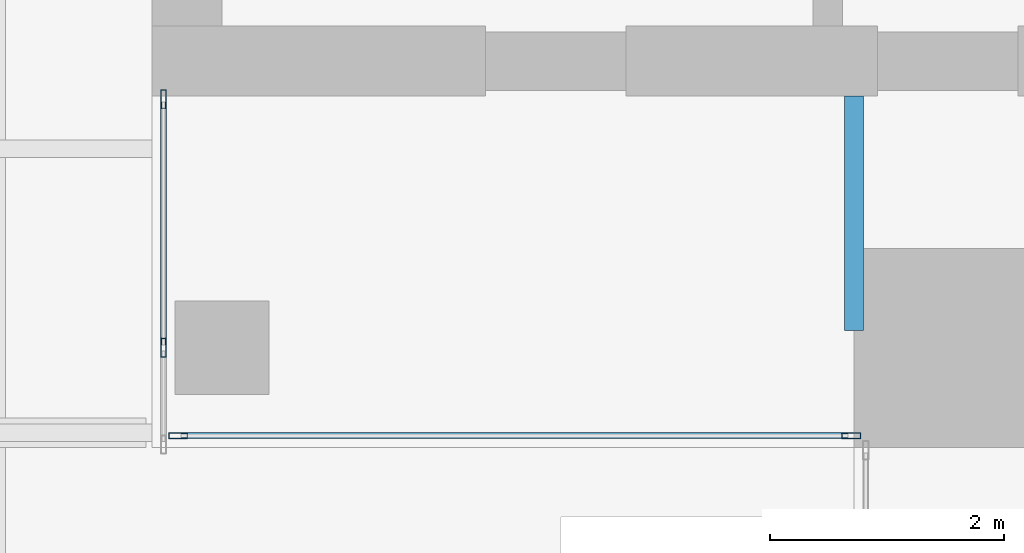
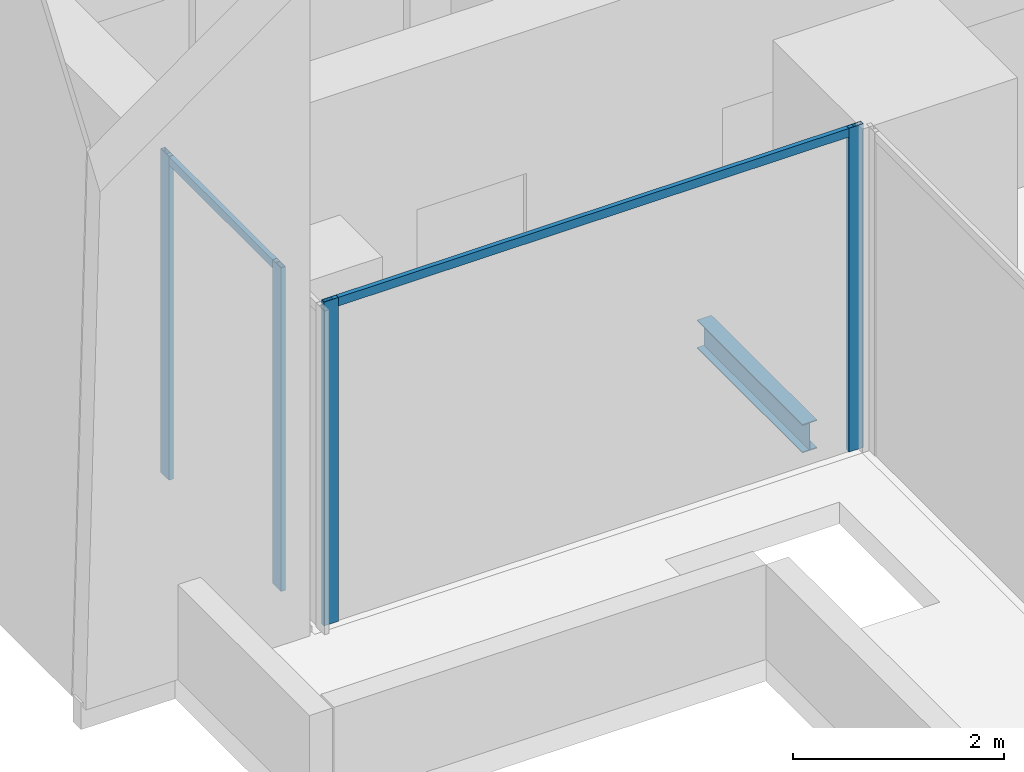
# One storey, part 4 of 32: 6 members, 1 beam, 2 elements without a shape of their own.
"""IFC4 building model written with IfcOpenShell, lengths in metres."""

import ifcopenshell
import ifcopenshell.guid

model = None  # the IFC model being written
_history = None  # IfcOwnerHistory: only IFC2X3 demands one
_inside = {}  # id of a spatial element -> (the spatial element, [elements in it])
_under = {}  # id of a project, library or spatial element -> (it, [spatial elements below it])
_declared = {}  # id of a project -> (the project, [libraries it declares])
_typed = {}  # id of a type object -> (the type object, [elements of that type])
_made_of = {}  # id of a material, layer set ... -> (it, [elements and type objects made of it])


def new_model(schema):
    """Start an empty IFC model of exactly this schema.

    Asked for "IFC4X3", IfcOpenShell would pick the latest addendum, in which some entities
    have other attributes; the version numbers below select the first issue.
    IFC2X3 requires an IfcOwnerHistory on every rooted entity: one is made here for all.
    """
    global model, _history
    if schema == "IFC4X3":
        model = ifcopenshell.file(schema_version=(4, 3, 0, 0))
    else:
        model = ifcopenshell.file(schema=schema)
    _inside.clear()
    _under.clear()
    _declared.clear()
    _typed.clear()
    _made_of.clear()
    _history = None
    if model.schema == "IFC2X3":
        org = make("IfcOrganization", Name="unknown")
        user = make(
            "IfcPersonAndOrganization",
            ThePerson=make("IfcPerson", FamilyName="unknown"),
            TheOrganization=org,
        )
        app = make(
            "IfcApplication",
            ApplicationDeveloper=org,
            Version="unknown",
            ApplicationFullName="unknown",
            ApplicationIdentifier="unknown",
        )
        _history = make(
            "IfcOwnerHistory",
            OwningUser=user,
            OwningApplication=app,
            ChangeAction="ADDED",
            CreationDate=0,
        )
    return model


def make(cls, **values):
    """One entity of the class cls with the attributes given. An attribute that is None is left unset."""
    return model.create_entity(
        cls, **{name: value for name, value in values.items() if value is not None}
    )


def rooted(cls, **values):
    """An entity with a GlobalId (a new one), such as an element, a storey or a relation."""
    return make(cls, GlobalId=ifcopenshell.guid.new(), OwnerHistory=_history, **values)


def si_unit(unit_type, name, prefix=None):
    """IfcSIUnit, for example si_unit("LENGTHUNIT", "METRE", prefix="MILLI")."""
    return make("IfcSIUnit", UnitType=unit_type, Prefix=prefix, Name=name)


def assignment(units):
    """IfcUnitAssignment: the units of a project."""
    return None if units is None else make("IfcUnitAssignment", Units=units)


def point(xyz):
    """IfcCartesianPoint."""
    return None if xyz is None else make("IfcCartesianPoint", Coordinates=xyz)


def direction(xyz):
    """IfcDirection."""
    return None if xyz is None else make("IfcDirection", DirectionRatios=xyz)


def frame(location, z_axis=None, x_axis=None):
    """IfcAxis2Placement3D, a coordinate frame: its origin and axes. An axis left out is left unset."""
    return make(
        "IfcAxis2Placement3D",
        Location=point(location),
        Axis=direction(z_axis),
        RefDirection=direction(x_axis),
    )


def frame_2d(location, x_axis=None):
    """IfcAxis2Placement2D, a coordinate frame in the plane: its origin and x axis."""
    return make(
        "IfcAxis2Placement2D", Location=point(location), RefDirection=direction(x_axis)
    )


def origin():
    """The frame at (0, 0, 0) with its axes left unset."""
    return frame((0.0, 0.0, 0.0))


def origin_2d():
    """The frame at (0, 0) in the plane with its x axis left unset."""
    return frame_2d((0.0, 0.0))


def place(relative_to, where):
    """IfcLocalPlacement: puts the frame where relative to a parent placement (None: the world)."""
    return make(
        "IfcLocalPlacement", PlacementRelTo=relative_to, RelativePlacement=where
    )


def context(
    kind, dimensions, precision=None, world=None, true_north=None, identifier=None
):
    """IfcGeometricRepresentationContext, for example the 3D "Model" context."""
    return make(
        "IfcGeometricRepresentationContext",
        ContextIdentifier=identifier,
        ContextType=kind,
        CoordinateSpaceDimension=dimensions,
        Precision=precision,
        WorldCoordinateSystem=world,
        TrueNorth=true_north,
    )


def subcontext(parent, identifier, kind, view, scale=None):
    """IfcGeometricRepresentationSubContext, for example "Body" below "Model"."""
    return make(
        "IfcGeometricRepresentationSubContext",
        ContextIdentifier=identifier,
        ContextType=kind,
        ParentContext=parent,
        TargetScale=scale,
        TargetView=view,
    )


def project(units=None, contexts=None):
    """IfcProject with its units and contexts."""
    return rooted(
        "IfcProject",
        Name="project",
        RepresentationContexts=contexts,
        UnitsInContext=assignment(units),
    )


def spatial(cls, under=None, at=None, **own):
    """A site, building, storey or space (cls), placed at a placement, below another one or the project."""
    s = rooted(cls, ObjectPlacement=at, **own)
    if under is not None:
        _under.setdefault(under.id(), (under, []))[1].append(s)
    return s


def profile(cls, at=None, kind="AREA", **sizes):
    """A parametric profile (cls). Its sizes go by their IFC names, for example OverallWidth=200.0."""
    return make(cls, ProfileType=kind, Position=at, **sizes)


def hollow_rectangle(**sizes):
    """IfcRectangleHollowProfileDef."""
    return profile("IfcRectangleHollowProfileDef", **sizes)


def i_section(**sizes):
    """IfcIShapeProfileDef."""
    return profile("IfcIShapeProfileDef", **sizes)


def extrude(swept, where, along, depth):
    """IfcExtrudedAreaSolid: the profile swept, set in the frame where, extruded along a direction by depth."""
    return make(
        "IfcExtrudedAreaSolid",
        SweptArea=swept,
        Position=where,
        ExtrudedDirection=direction(along),
        Depth=depth,
    )


def shape(context_of_items, identifier, shape_type, items):
    """IfcShapeRepresentation: the items that make up one representation, for example the "Body"."""
    return make(
        "IfcShapeRepresentation",
        ContextOfItems=context_of_items,
        RepresentationIdentifier=identifier,
        RepresentationType=shape_type,
        Items=items,
    )


def source(mapping_origin, context_of_items, identifier, shape_type, items):
    """IfcRepresentationMap: a shape defined once, which mapped items show again and again."""
    return make(
        "IfcRepresentationMap",
        MappingOrigin=mapping_origin,
        MappedRepresentation=shape(context_of_items, identifier, shape_type, items),
    )


def transform(
    local_origin,
    x_axis=None,
    y_axis=None,
    z_axis=None,
    scale=None,
    scale2=None,
    scale3=None,
    uniform=True,
):
    """IfcCartesianTransformationOperator3D, or its non-uniform kind. x_axis, y_axis, z_axis: its Axis1, 2, 3."""
    if uniform:
        return make(
            "IfcCartesianTransformationOperator3D",
            Axis1=direction(x_axis),
            Axis2=direction(y_axis),
            LocalOrigin=point(local_origin),
            Scale=scale,
            Axis3=direction(z_axis),
        )
    return make(
        "IfcCartesianTransformationOperator3DnonUniform",
        Axis1=direction(x_axis),
        Axis2=direction(y_axis),
        LocalOrigin=point(local_origin),
        Scale=scale,
        Axis3=direction(z_axis),
        Scale2=scale2,
        Scale3=scale3,
    )


def mapped(mapping_source, mapping_target):
    """IfcMappedItem: shows the shape of a source again, moved by a transform."""
    return make(
        "IfcMappedItem", MappingSource=mapping_source, MappingTarget=mapping_target
    )


def material(Name=None, Category=None):
    """IfcMaterial."""
    return make("IfcMaterial", Name=Name, Category=Category)


def material_profile(
    of_material, cross_section, Name=None, Category=None, Priority=None
):
    """IfcMaterialProfile: a cross section and its material."""
    return make(
        "IfcMaterialProfile",
        Name=Name,
        Material=of_material,
        Profile=cross_section,
        Priority=Priority,
        Category=Category,
    )


def profile_set(profiles, Name=None, composite=None):
    """IfcMaterialProfileSet."""
    return make(
        "IfcMaterialProfileSet",
        Name=Name,
        MaterialProfiles=profiles,
        CompositeProfile=composite,
    )


def made_of(thing, what):
    """Note that an element or type object is made of a material, layer set ...; save() writes the relation."""
    if what is not None:
        _made_of.setdefault(what.id(), (what, []))[1].append(thing)
    return thing


def type_object(cls, material=None, **own):
    """A type object (cls), such as IfcWallType, which elements share."""
    return made_of(rooted(cls, **own), material)


def element(
    cls,
    number,
    at=None,
    inside=None,
    cuts=None,
    type_object=None,
    material=None,
    context=None,
    identifier="Body",
    shape_type=None,
    held_by="IfcProductDefinitionShape",
    body=None,
    shapes=None,
    **own,
):
    """One element of the class cls, such as IfcWall. Its Tag is "e" and its number.

    at: its placement. inside: the storey or other place that contains it. cuts: it is an
    opening in that element (IfcRelVoidsElement). A single representation is given by context,
    identifier, shape_type and body (its items); several are given by shapes. held_by: the class
    of the entity that holds the representations. save() writes the other relations.
    """
    e = rooted(cls, Tag="e%d" % number, ObjectPlacement=at, **own)
    if body is not None:
        shapes = [shape(context, identifier, shape_type, body)]
    if shapes is not None:
        e.Representation = make(held_by, Representations=shapes)
    if inside is not None:
        _inside.setdefault(inside.id(), (inside, []))[1].append(e)
    if cuts is not None:
        rooted(
            "IfcRelVoidsElement", RelatingBuildingElement=cuts, RelatedOpeningElement=e
        )
    if type_object is not None:
        _typed.setdefault(type_object.id(), (type_object, []))[1].append(e)
    return made_of(e, material)


def aggregate(whole, parts):
    """IfcRelAggregates: a whole, such as a stair, and the parts it consists of."""
    return rooted("IfcRelAggregates", RelatingObject=whole, RelatedObjects=parts)


def save(model, path):
    """Write the relations noted so far, then the file.

    IfcRelAggregates (storeys below a building ...), IfcRelContainedInSpatialStructure (elements
    in a storey), IfcRelDefinesByType, IfcRelAssociatesMaterial and IfcRelDeclares: one each for
    every whole, place, type object, material and project.
    """
    for whole, parts in _under.values():
        aggregate(whole, parts)
    for where, things in _inside.values():
        rooted(
            "IfcRelContainedInSpatialStructure",
            RelatedElements=things,
            RelatingStructure=where,
        )
    for kind, things in _typed.values():
        rooted("IfcRelDefinesByType", RelatedObjects=things, RelatingType=kind)
    for what, things in _made_of.values():
        rooted("IfcRelAssociatesMaterial", RelatedObjects=things, RelatingMaterial=what)
    for by, libraries in _declared.values():
        rooted("IfcRelDeclares", RelatingContext=by, RelatedDefinitions=libraries)
    model.write(path)


model = new_model("IFC4")

# Units and contexts
model_context = context("Model", 3, precision=1e-05, world=origin(), true_north=direction((0.0, 1.0)))
body_context = subcontext(model_context, "Body", "Model", "MODEL_VIEW")
ifc_project = project(units=[si_unit("LENGTHUNIT", "METRE"), si_unit("AREAUNIT", "SQUARE_METRE"), si_unit("VOLUMEUNIT", "CUBIC_METRE"), si_unit("PLANEANGLEUNIT", "RADIAN"), si_unit("MASSUNIT", "GRAM", prefix="KILO")], contexts=[model_context])

# Site, building, storey
site_placement = place(None, origin())
site = spatial("IfcSite", under=ifc_project, at=site_placement, CompositionType="ELEMENT")
building_placement = place(site_placement, origin())
building = spatial("IfcBuilding", under=site, at=building_placement, Name="Khomas Fold Tower", CompositionType="ELEMENT")
storey_placement = place(building_placement, frame((0.0, 0.0, 282.199951171875)))
storey = spatial("IfcBuildingStorey", under=building, at=storey_placement, Name="L63", CompositionType="ELEMENT", Elevation=282.199951171875)

# Beam
ifc_material_1 = material(Name="Steel S355", Category="steel")
ifc_material_profile_1 = material_profile(ifc_material_1, i_section(OverallWidth=0.159912109375, OverallDepth=0.330078125, WebThickness=0.007568359375, FlangeThickness=0.011474609375, at=origin_2d()), Name="IPE 330")
ifc_profile_set_1 = profile_set([ifc_material_profile_1], Name="Steel S355")
beam_type = type_object("IfcBeamType", Name="IPE 330 beam JB1", PredefinedType="BEAM", material=ifc_profile_set_1)
shared_shape_1 = source(origin(), body_context, "Body", "SweptSolid", [
    extrude(i_section(OverallWidth=0.159912109375, OverallDepth=0.330078125, WebThickness=0.007568359375, FlangeThickness=0.011474609375, at=origin_2d()), origin(), (0.0, 0.0, 1.0), 2.0),
])
beam_placement = place(storey_placement, frame((12.0, 13.0, -0.4150390625), z_axis=(0.0, 1.0, 0.0), x_axis=(-1.0, 0.0, 0.0)))
element("IfcBeam", 1, at=beam_placement, inside=storey, type_object=beam_type, Name="JB1", PredefinedType="BEAM", context=body_context, shape_type="MappedRepresentation", body=[
    mapped(shared_shape_1, transform((0.0, 0.0, 0.0))),
])

# Curtain wall, members
ifc_material_2 = material(Name="Aluminium framed double glazing", Category="aluminium")
curtain_wall_type = type_object("IfcCurtainWallType", Name="SK-Unitised clear-glass wall, upper floors CW3", PredefinedType="NOTDEFINED", material=ifc_material_2)
curtain_wall_1_placement = place(storey_placement, origin())
curtain_wall_1 = element("IfcCurtainWall", 2, at=curtain_wall_1_placement, inside=storey, type_object=curtain_wall_type, Name="CW3 run L63 09-1", PredefinedType="NOTDEFINED")
ifc_material_3 = material(Name="Aluminium", Category="aluminium")
ifc_material_profile_2 = material_profile(ifc_material_3, hollow_rectangle(XDim=0.050048828125, YDim=0.159912109375, WallThickness=0.00390625, at=origin_2d()), Name="SK-Unitised clear-glass wall, upper floors mullion CW3-M")
ifc_profile_set_2 = profile_set([ifc_material_profile_2], Name="Aluminium")
member_type_1 = type_object("IfcMemberType", Name="SK-Unitised clear-glass wall, upper floors mullion CW3-M", PredefinedType="MULLION", material=ifc_profile_set_2)
shared_shape_2 = source(origin(), body_context, "Body", "SweptSolid", [
    extrude(hollow_rectangle(XDim=0.050048828125, YDim=0.159912109375, WallThickness=0.00390625, at=origin_2d()), origin(), (0.0, 0.0, 1.0), 3.75),
])
member_1_placement = place(storey_placement, frame((6.10009765625, 14.97509765625, 0.0), z_axis=(0.0, 0.0, 1.0), x_axis=(1.0, 0.0, 0.0)))
member_1 = element("IfcMember", 3, at=member_1_placement, type_object=member_type_1, Name="CW3 mullion 1", PredefinedType="MULLION", context=body_context, shape_type="MappedRepresentation", body=[
    mapped(shared_shape_2, transform((0.0, 0.0, 0.0))),
])
member_2_placement = place(storey_placement, frame((6.10009765625, 12.85009765625, 0.0), z_axis=(0.0, 0.0, 1.0), x_axis=(1.0, 0.0, 0.0)))
member_2 = element("IfcMember", 4, at=member_2_placement, type_object=member_type_1, Name="CW3 mullion 2", PredefinedType="MULLION", context=body_context, shape_type="MappedRepresentation", body=[
    mapped(shared_shape_2, transform((0.0, 0.0, 0.0))),
])

curtain_wall_2_placement = place(storey_placement, origin())
curtain_wall_2 = element("IfcCurtainWall", 5, at=curtain_wall_2_placement, inside=storey, type_object=curtain_wall_type, Name="CW3 corner return L63 10", PredefinedType="NOTDEFINED")
member_3_placement = place(storey_placement, frame((6.22509765625, 12.10009765625, 0.0), z_axis=(0.0, 0.0, 1.0), x_axis=(0.0, 1.0, 0.0)))
member_3 = element("IfcMember", 6, at=member_3_placement, type_object=member_type_1, Name="CW3 mullion 1", PredefinedType="MULLION", context=body_context, shape_type="MappedRepresentation", body=[
    mapped(shared_shape_2, transform((0.0, 0.0, 0.0))),
])
member_4_placement = place(storey_placement, frame((11.97509765625, 12.10009765625, 0.0), z_axis=(0.0, 0.0, 1.0), x_axis=(0.0, 1.0, 0.0)))
member_4 = element("IfcMember", 7, at=member_4_placement, type_object=member_type_1, Name="CW3 mullion 2", PredefinedType="MULLION", context=body_context, shape_type="MappedRepresentation", body=[
    mapped(shared_shape_2, transform((0.0, 0.0, 0.0))),
])
ifc_material_4 = material(Name="Aluminium", Category="aluminium")
ifc_material_profile_3 = material_profile(ifc_material_4, hollow_rectangle(XDim=0.050048828125, YDim=0.10009765625, WallThickness=0.00390625, at=origin_2d()), Name="SK-Unitised clear-glass wall, upper floors transom CW3-T")
ifc_profile_set_3 = profile_set([ifc_material_profile_3], Name="Aluminium")
member_type_2 = type_object("IfcMemberType", Name="SK-Unitised clear-glass wall, upper floors transom CW3-T", PredefinedType="USERDEFINED", material=ifc_profile_set_3)
shared_shape_3 = source(origin(), body_context, "Body", "SweptSolid", [
    extrude(hollow_rectangle(XDim=0.050048828125, YDim=0.10009765625, WallThickness=0.00390625, at=origin_2d()), origin(), (0.0, 0.0, 1.0), 5.699951171875),
])
member_5_placement = place(storey_placement, frame((6.25, 12.10009765625, 3.699951171875), z_axis=(1.0, 0.0, 0.0), x_axis=(0.0, 1.0, 0.0)))
member_5 = element("IfcMember", 8, at=member_5_placement, type_object=member_type_2, Name="CW3 transom 1", ObjectType="TRANSOM", PredefinedType="USERDEFINED", context=body_context, shape_type="MappedRepresentation", body=[
    mapped(shared_shape_3, transform((0.0, 0.0, 0.0))),
])
aggregate(curtain_wall_2, [member_3, member_4, member_5])

# Member
shared_shape_4 = source(origin(), body_context, "Body", "SweptSolid", [
    extrude(hollow_rectangle(XDim=0.050048828125, YDim=0.10009765625, WallThickness=0.00390625, at=origin_2d()), origin(), (0.0, 0.0, 1.0), 2.074951171875),
])
member_6_placement = place(storey_placement, frame((6.10009765625, 14.949951171875, 3.699951171875), z_axis=(0.0, -1.0, 0.0), x_axis=(1.0, 0.0, 0.0)))
member_6 = element("IfcMember", 9, at=member_6_placement, type_object=member_type_2, Name="CW3 transom 1", ObjectType="TRANSOM", PredefinedType="USERDEFINED", context=body_context, shape_type="MappedRepresentation", body=[
    mapped(shared_shape_4, transform((0.0, 0.0, 0.0))),
])

aggregate(curtain_wall_1, [member_1, member_2, member_6])

save(model, "model.ifc")
